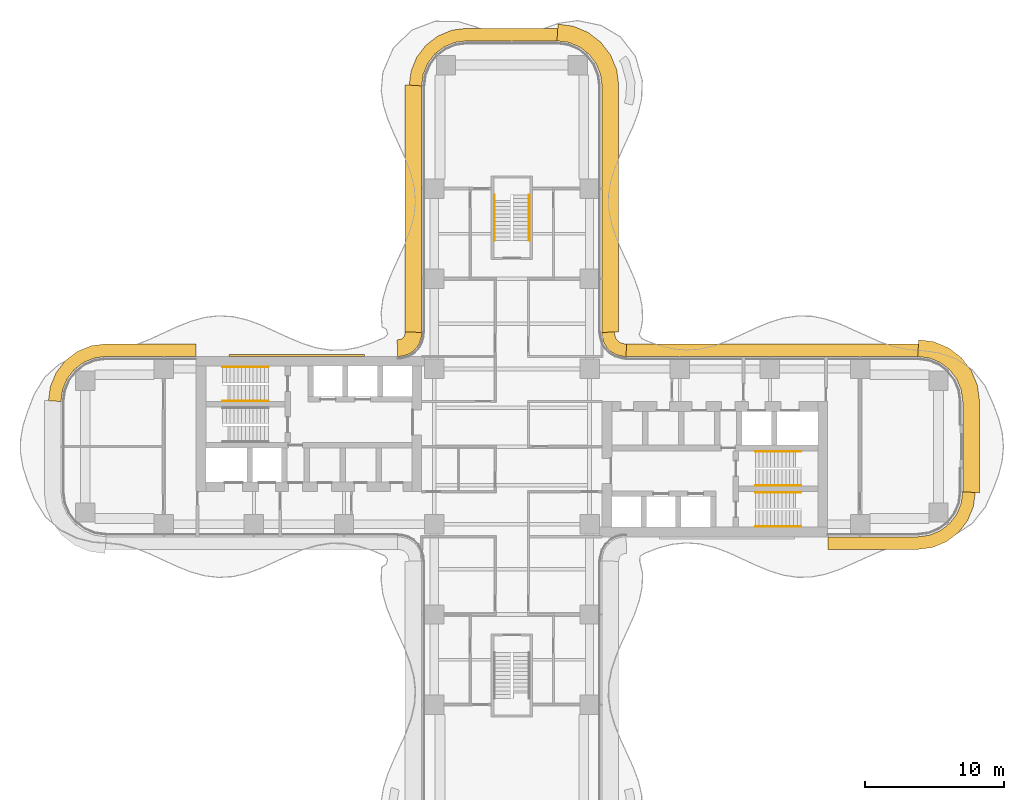
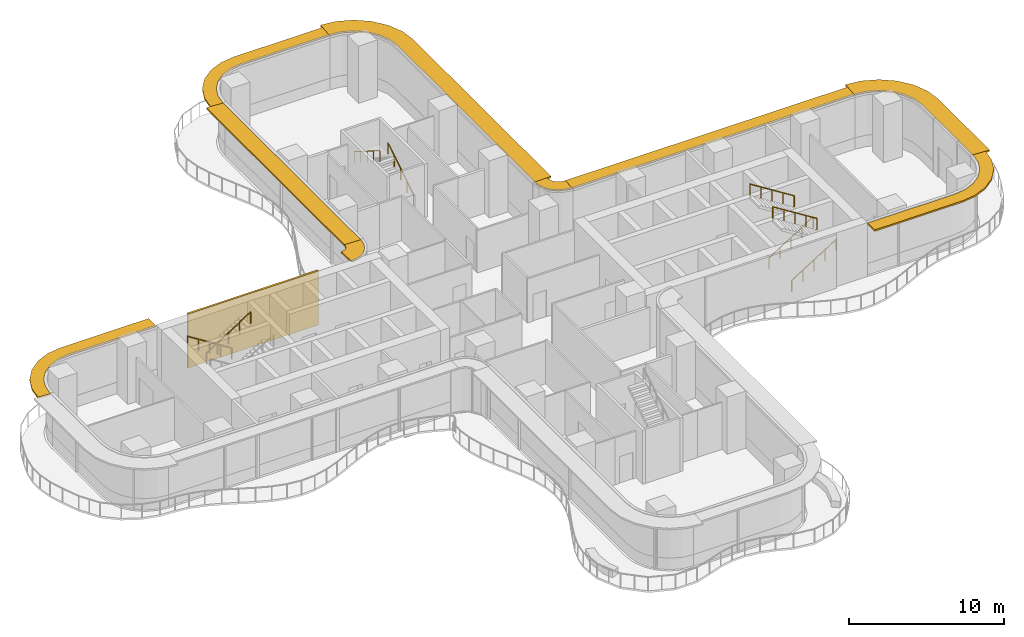
# One storey, part 22 of 22: 9 shading devices, 8 railings, 1 covering.
"""IFC4 building model written with IfcOpenShell, lengths in metres."""

from ifc_helpers import new_model, si_unit, direction, frame, origin, origin_2d, place, context, subcontext, project, spatial, polyline, circle, outline, extrude, source, transform, mapped, material, layer, layer_set, type_object, element, save


model = new_model("IFC4")

# Units and contexts
model_context = context("Model", 3, precision=1e-05, world=origin(), true_north=direction((0.0, 1.0)))
body_context = subcontext(model_context, "Body", "Model", "MODEL_VIEW")
ifc_project = project(units=[si_unit("LENGTHUNIT", "METRE"), si_unit("AREAUNIT", "SQUARE_METRE"), si_unit("VOLUMEUNIT", "CUBIC_METRE"), si_unit("PLANEANGLEUNIT", "RADIAN"), si_unit("MASSUNIT", "GRAM", prefix="KILO")], contexts=[model_context])

# Site, building, storey
site_placement = place(None, origin())
site = spatial("IfcSite", under=ifc_project, at=site_placement, CompositionType="ELEMENT")
building_placement = place(site_placement, origin())
building = spatial("IfcBuilding", under=site, at=building_placement, Name="Trellis Farm Tower", CompositionType="ELEMENT")
storey_placement = place(building_placement, frame((0.0, 0.0, 43.0)))
storey = spatial("IfcBuildingStorey", under=building, at=storey_placement, Name="L08", CompositionType="ELEMENT", Elevation=43.0)

# Railings
ifc_material_1 = material(Name="Stainless steel", Category="steel")
railing_type = type_object("IfcRailingType", Name="STAIR HANDRAIL 900", PredefinedType="HANDRAIL", material=ifc_material_1)
shared_shape_1 = source(origin(), body_context, "Body", "SweptSolid", [
    extrude(circle(Radius=0.02392578125, at=origin_2d()), frame((0.0, 0.0, 0.8759765625), z_axis=(0.0, 0.846319618018, 0.532675421018), x_axis=(-1.0, 0.0, 0.0)), (0.0, 0.0, 1.0), 3.89892578125),
    extrude(circle(Radius=0.02099609375, at=origin_2d()), origin(), (0.0, 0.0, 1.0), 0.851806640625),
    extrude(circle(Radius=0.02099609375, at=origin_2d()), frame((0.0, 0.824951171875, 0.519287109375)), (0.0, 0.0, 1.0), 0.851806640625),
    extrude(circle(Radius=0.02099609375, at=origin_2d()), frame((0.0, 1.64990234375, 1.03857421875)), (0.0, 0.0, 1.0), 0.851806640625),
    extrude(circle(Radius=0.02099609375, at=origin_2d()), frame((0.0, 2.474853515625, 1.5576171875)), (0.0, 0.0, 1.0), 0.851806640625),
    extrude(circle(Radius=0.02099609375, at=origin_2d()), frame((0.0, 3.2998046875, 2.076904296875)), (0.0, 0.0, 1.0), 0.851806640625),
])
railing_1_placement = place(storey_placement, frame((1.25, 14.85009765625, 0.173095703125)))
element("IfcRailing", 1, at=railing_1_placement, inside=storey, type_object=railing_type, Name="Stair handrail", PredefinedType="HANDRAIL", context=body_context, shape_type="MappedRepresentation", body=[
    mapped(shared_shape_1, transform((0.0, 0.0, 0.0))),
])
shared_shape_2 = source(origin(), body_context, "Body", "SweptSolid", [
    extrude(circle(Radius=0.02392578125, at=origin_2d()), frame((0.0, 0.0, 0.8759765625), z_axis=(0.0, -0.846319618018, 0.532675421018), x_axis=(1.0, 0.0, 0.0)), (0.0, 0.0, 1.0), 3.89892578125),
    extrude(circle(Radius=0.02099609375, at=origin_2d()), origin(), (0.0, 0.0, 1.0), 0.851806640625),
    extrude(circle(Radius=0.02099609375, at=origin_2d()), frame((0.0, -0.824951171875, 0.519287109375)), (0.0, 0.0, 1.0), 0.851806640625),
    extrude(circle(Radius=0.02099609375, at=origin_2d()), frame((0.0, -1.64990234375, 1.03857421875)), (0.0, 0.0, 1.0), 0.851806640625),
    extrude(circle(Radius=0.02099609375, at=origin_2d()), frame((0.0, -2.474853515625, 1.5576171875)), (0.0, 0.0, 1.0), 0.851806640625),
    extrude(circle(Radius=0.02099609375, at=origin_2d()), frame((0.0, -3.2998046875, 2.076904296875)), (0.0, 0.0, 1.0), 0.851806640625),
])
railing_2_placement = place(storey_placement, frame((-1.25, 18.14990234375, 2.423095703125)))
element("IfcRailing", 2, at=railing_2_placement, inside=storey, type_object=railing_type, Name="Stair handrail", PredefinedType="HANDRAIL", context=body_context, shape_type="MappedRepresentation", body=[
    mapped(shared_shape_2, transform((0.0, 0.0, 0.0))),
])
shared_shape_3 = source(origin(), body_context, "Body", "SweptSolid", [
    extrude(circle(Radius=0.02392578125, at=origin_2d()), frame((0.0, 0.0, 0.8759765625), z_axis=(0.846337383501, 0.0, 0.532647194011), x_axis=(0.0, 1.0, 0.0)), (0.0, 0.0, 1.0), 3.899169921875),
    extrude(circle(Radius=0.02099609375, at=origin_2d()), origin(), (0.0, 0.0, 1.0), 0.851806640625),
    extrude(circle(Radius=0.02099609375, at=origin_2d()), frame((0.824951171875, 0.0, 0.519287109375)), (0.0, 0.0, 1.0), 0.851806640625),
    extrude(circle(Radius=0.02099609375, at=origin_2d()), frame((1.64990234375, 0.0, 1.03857421875)), (0.0, 0.0, 1.0), 0.851806640625),
    extrude(circle(Radius=0.02099609375, at=origin_2d()), frame((2.47509765625, 0.0, 1.5576171875)), (0.0, 0.0, 1.0), 0.851806640625),
    extrude(circle(Radius=0.02099609375, at=origin_2d()), frame((3.300048828125, 0.0, 2.076904296875)), (0.0, 0.0, 1.0), 0.851806640625),
])
for number, where, name in (
    (3, (17.550048828125, -5.75, 0.173095703125), "Stair handrail"),
    (4, (17.550048828125, -2.800048828125, 0.173095703125), "Stair handrail"),
    (5, (-20.85009765625, 3.300048828125, 2.423095703125), "Stair handrail"),
):
    element("IfcRailing", number, at=place(storey_placement, frame(where)), inside=storey, type_object=railing_type, Name=name, PredefinedType="HANDRAIL", context=body_context, shape_type="MappedRepresentation", body=[
        mapped(shared_shape_3, transform((0.0, 0.0, 0.0))),
    ])
shared_shape_4 = source(origin(), body_context, "Body", "SweptSolid", [
    extrude(circle(Radius=0.02392578125, at=origin_2d()), frame((0.0, 0.0, 0.8759765625), z_axis=(-0.846337383501, 0.0, 0.532647194011), x_axis=(0.0, -1.0, 0.0)), (0.0, 0.0, 1.0), 3.899169921875),
    extrude(circle(Radius=0.02099609375, at=origin_2d()), origin(), (0.0, 0.0, 1.0), 0.851806640625),
    extrude(circle(Radius=0.02099609375, at=origin_2d()), frame((-0.824951171875, 0.0, 0.519287109375)), (0.0, 0.0, 1.0), 0.851806640625),
    extrude(circle(Radius=0.02099609375, at=origin_2d()), frame((-1.64990234375, 0.0, 1.03857421875)), (0.0, 0.0, 1.0), 0.851806640625),
    extrude(circle(Radius=0.02099609375, at=origin_2d()), frame((-2.47509765625, 0.0, 1.5576171875)), (0.0, 0.0, 1.0), 0.851806640625),
    extrude(circle(Radius=0.02099609375, at=origin_2d()), frame((-3.300048828125, 0.0, 2.076904296875)), (0.0, 0.0, 1.0), 0.851806640625),
])
for number, where, name in (
    (6, (20.85009765625, -3.300048828125, 2.423095703125), "Stair handrail"),
    (7, (20.85009765625, -0.35009765625, 2.423095703125), "Stair handrail"),
    (8, (-17.550048828125, 5.75, 0.173095703125), "Stair handrail"),
):
    element("IfcRailing", number, at=place(storey_placement, frame(where)), inside=storey, type_object=railing_type, Name=name, PredefinedType="HANDRAIL", context=body_context, shape_type="MappedRepresentation", body=[
        mapped(shared_shape_4, transform((0.0, 0.0, 0.0))),
    ])

# Shading devices
ifc_material_2 = material(Name="Aluminium extrusion 6063-T6", Category="aluminium")
ifc_layer_1 = layer(ifc_material_2, 0.1201171875)
ifc_layer_set_1 = layer_set([ifc_layer_1], Name="SUNSHADE BLADE 900")
shading_device_type_1 = type_object("IfcShadingDeviceType", Name="SUNSHADE BLADE 900", PredefinedType="USERDEFINED", material=ifc_layer_set_1)
shared_shape_5 = source(origin(), body_context, "Body", "SweptSolid", [
    extrude(outline(polyline([(22.780029296875, -7.39990234375), (29.30908203125, -7.39990234375), (30.326171875, -7.26611328125), (31.328857421875, -6.850830078125), (32.18994140625, -6.18994140625), (32.850830078125, -5.328857421875), (33.26611328125, -4.326171875), (33.39990234375, -3.30908203125), (32.5, -3.25), (32.38916015625, -4.091064453125), (32.064697265625, -4.875), (31.548095703125, -5.548095703125), (30.875, -6.064697265625), (30.091064453125, -6.38916015625), (29.25, -6.5), (22.780029296875, -6.5), (22.780029296875, -7.39990234375)])), origin(), (0.0, 0.0, 1.0), 0.119873046875),
])
placement = place(storey_placement, frame((0.0, 0.0, 4.090087890625)))
element("IfcShadingDevice", 9, at=placement, inside=storey, type_object=shading_device_type_1, Name="SD1 007", ObjectType="SUNSHADE", PredefinedType="USERDEFINED", context=body_context, shape_type="MappedRepresentation", body=[
    mapped(shared_shape_5, transform((0.0, 0.0, 0.0))),
])
ifc_layer_2 = layer(ifc_material_2, 0.1201171875)
ifc_layer_set_2 = layer_set([ifc_layer_2], Name="SUNSHADE BLADE 1200")
shading_device_type_2 = type_object("IfcShadingDeviceType", Name="SUNSHADE BLADE 1200", PredefinedType="USERDEFINED", material=ifc_layer_set_2)
shared_shape_6 = source(origin(), body_context, "Body", "SweptSolid", [
    extrude(outline(polyline([(33.699951171875, -3.32861328125), (33.699951171875, 3.32861328125), (33.558349609375, 4.404541015625), (33.11279296875, 5.480224609375), (32.404052734375, 6.404052734375), (31.480224609375, 7.11279296875), (30.404541015625, 7.558349609375), (29.32861328125, 7.699951171875), (29.25, 6.5), (30.091064453125, 6.38916015625), (30.875, 6.064697265625), (31.548095703125, 5.548095703125), (32.064697265625, 4.875), (32.38916015625, 4.091064453125), (32.5, 3.25), (32.5, -3.25), (33.699951171875, -3.32861328125)])), origin(), (0.0, 0.0, 1.0), 0.119873046875),
])
element("IfcShadingDevice", 10, at=placement, inside=storey, type_object=shading_device_type_2, Name="SD2 008", ObjectType="SUNSHADE", PredefinedType="USERDEFINED", context=body_context, shape_type="MappedRepresentation", body=[
    mapped(shared_shape_6, transform((0.0, 0.0, 0.0))),
])
shared_shape_7 = source(origin(), body_context, "Body", "SweptSolid", [
    extrude(outline(polyline([(29.30908203125, 7.39990234375), (8.2607421875, 7.39990234375), (8.2314453125, 6.5), (29.25, 6.5), (29.30908203125, 7.39990234375)])), origin(), (0.0, 0.0, 1.0), 0.119873046875),
])
element("IfcShadingDevice", 11, at=placement, inside=storey, type_object=shading_device_type_1, Name="SD1 009", ObjectType="SUNSHADE", PredefinedType="USERDEFINED", context=body_context, shape_type="MappedRepresentation", body=[
    mapped(shared_shape_7, transform((0.0, 0.0, 0.0))),
])
shared_shape_8 = source(origin(), body_context, "Body", "SweptSolid", [
    extrude(outline(polyline([(8.2607421875, 7.39990234375), (8.107666015625, 7.409912109375), (8.091552734375, 7.412109375), (7.85595703125, 7.475341796875), (7.697021484375, 7.567138671875), (7.567138671875, 7.697021484375), (7.475341796875, 7.85595703125), (7.412109375, 8.091552734375), (7.409912109375, 8.107666015625), (7.39990234375, 8.2607421875), (6.5, 8.2314453125), (6.513916015625, 8.01953125), (6.527587890625, 7.91552734375), (6.63671875, 7.508544921875), (6.846923828125, 7.144287109375), (7.144287109375, 6.846923828125), (7.508544921875, 6.63671875), (7.91552734375, 6.527587890625), (8.01953125, 6.513916015625), (8.2314453125, 6.5), (8.2607421875, 7.39990234375)])), origin(), (0.0, 0.0, 1.0), 0.119873046875),
])
element("IfcShadingDevice", 12, at=placement, inside=storey, type_object=shading_device_type_1, Name="SD1 010", ObjectType="SUNSHADE", PredefinedType="USERDEFINED", context=body_context, shape_type="MappedRepresentation", body=[
    mapped(shared_shape_8, transform((0.0, 0.0, 0.0))),
])
shared_shape_9 = source(origin(), body_context, "Body", "SweptSolid", [
    extrude(outline(polyline([(7.699951171875, 8.270751953125), (7.699951171875, 26.07861328125), (7.558349609375, 27.154541015625), (7.11279296875, 28.230224609375), (6.404052734375, 29.154052734375), (5.480224609375, 29.86279296875), (4.404541015625, 30.308349609375), (3.32861328125, 30.449951171875), (3.25, 29.25), (4.091064453125, 29.13916015625), (4.875, 28.814697265625), (5.548095703125, 28.298095703125), (6.064697265625, 27.625), (6.38916015625, 26.841064453125), (6.5, 26.0), (6.5, 8.2314453125), (7.699951171875, 8.270751953125)])), origin(), (0.0, 0.0, 1.0), 0.119873046875),
])
element("IfcShadingDevice", 13, at=placement, inside=storey, type_object=shading_device_type_2, Name="SD2 011", ObjectType="SUNSHADE", PredefinedType="USERDEFINED", context=body_context, shape_type="MappedRepresentation", body=[
    mapped(shared_shape_9, transform((0.0, 0.0, 0.0))),
])
shared_shape_10 = source(origin(), body_context, "Body", "SweptSolid", [
    extrude(outline(polyline([(3.30908203125, 30.14990234375), (-3.30908203125, 30.14990234375), (-4.326171875, 30.01611328125), (-5.328857421875, 29.600830078125), (-6.18994140625, 28.93994140625), (-6.850830078125, 28.078857421875), (-7.26611328125, 27.076171875), (-7.39990234375, 26.05908203125), (-6.5, 26.0), (-6.38916015625, 26.841064453125), (-6.064697265625, 27.625), (-5.548095703125, 28.298095703125), (-4.875, 28.814697265625), (-4.091064453125, 29.13916015625), (-3.25, 29.25), (3.25, 29.25), (3.30908203125, 30.14990234375)])), origin(), (0.0, 0.0, 1.0), 0.119873046875),
])
element("IfcShadingDevice", 14, at=placement, inside=storey, type_object=shading_device_type_1, Name="SD1 012", ObjectType="SUNSHADE", PredefinedType="USERDEFINED", context=body_context, shape_type="MappedRepresentation", body=[
    mapped(shared_shape_10, transform((0.0, 0.0, 0.0))),
])
shared_shape_11 = source(origin(), body_context, "Body", "SweptSolid", [
    extrude(outline(polyline([(-7.699951171875, 26.07861328125), (-7.699951171875, 8.270751953125), (-6.5, 8.2314453125), (-6.5, 26.0), (-7.699951171875, 26.07861328125)])), origin(), (0.0, 0.0, 1.0), 0.119873046875),
])
element("IfcShadingDevice", 15, at=placement, inside=storey, type_object=shading_device_type_2, Name="SD2 013", ObjectType="SUNSHADE", PredefinedType="USERDEFINED", context=body_context, shape_type="MappedRepresentation", body=[
    mapped(shared_shape_11, transform((0.0, 0.0, 0.0))),
])
shared_shape_12 = source(origin(), body_context, "Body", "SweptSolid", [
    extrude(outline(polyline([(-7.699951171875, 8.270751953125), (-7.708740234375, 8.13720703125), (-7.70703125, 8.150146484375), (-7.7548828125, 7.9716796875), (-7.80712890625, 7.881103515625), (-7.881103515625, 7.80712890625), (-7.9716796875, 7.7548828125), (-8.150146484375, 7.70703125), (-8.13720703125, 7.708740234375), (-8.270751953125, 7.699951171875), (-8.2314453125, 6.5), (-8.01953125, 6.513916015625), (-7.91552734375, 6.527587890625), (-7.508544921875, 6.63671875), (-7.144287109375, 6.846923828125), (-6.846923828125, 7.144287109375), (-6.63671875, 7.508544921875), (-6.527587890625, 7.91552734375), (-6.513916015625, 8.01953125), (-6.5, 8.2314453125), (-7.699951171875, 8.270751953125)])), origin(), (0.0, 0.0, 1.0), 0.119873046875),
])
element("IfcShadingDevice", 16, at=placement, inside=storey, type_object=shading_device_type_2, Name="SD2 014", ObjectType="SUNSHADE", PredefinedType="USERDEFINED", context=body_context, shape_type="MappedRepresentation", body=[
    mapped(shared_shape_12, transform((0.0, 0.0, 0.0))),
])
shared_shape_13 = source(origin(), body_context, "Body", "SweptSolid", [
    extrude(outline(polyline([(-22.780029296875, 7.39990234375), (-29.30908203125, 7.39990234375), (-30.326171875, 7.26611328125), (-31.328857421875, 6.850830078125), (-32.18994140625, 6.18994140625), (-32.850830078125, 5.328857421875), (-33.26611328125, 4.326171875), (-33.39990234375, 3.30908203125), (-32.5, 3.25), (-32.38916015625, 4.091064453125), (-32.064697265625, 4.875), (-31.548095703125, 5.548095703125), (-30.875, 6.064697265625), (-30.091064453125, 6.38916015625), (-29.25, 6.5), (-22.780029296875, 6.5), (-22.780029296875, 7.39990234375)])), origin(), (0.0, 0.0, 1.0), 0.119873046875),
])
element("IfcShadingDevice", 17, at=placement, inside=storey, type_object=shading_device_type_1, Name="SD1 015", ObjectType="SUNSHADE", PredefinedType="USERDEFINED", context=body_context, shape_type="MappedRepresentation", body=[
    mapped(shared_shape_13, transform((0.0, 0.0, 0.0))),
])

# Covering
ifc_material_3 = material(Name="Perforated precast screen (cobogo)", Category="concrete")
ifc_layer_3 = layer(ifc_material_3, 0.14990234375)
ifc_layer_set_3 = layer_set([ifc_layer_3], Name="COBOGO SCREEN PANEL")
covering_type = type_object("IfcCoveringType", Name="COBOGO SCREEN PANEL", PredefinedType="USERDEFINED", material=ifc_layer_set_3)
shared_shape_14 = source(origin(), body_context, "Body", "SweptSolid", [
    extrude(outline(polyline([(-10.630615234375, 6.64990234375), (-20.380615234375, 6.64990234375), (-20.380615234375, 6.5), (-10.630615234375, 6.5), (-10.630615234375, 6.64990234375)])), origin(), (0.0, 0.0, 1.0), 4.25),
])
covering_placement = place(storey_placement, origin())
element("IfcCovering", 18, at=covering_placement, inside=storey, type_object=covering_type, Name="SC1 02", ObjectType="SCREEN", PredefinedType="USERDEFINED", context=body_context, shape_type="MappedRepresentation", body=[
    mapped(shared_shape_14, transform((0.0, 0.0, 0.0))),
])

save(model, "model.ifc")
